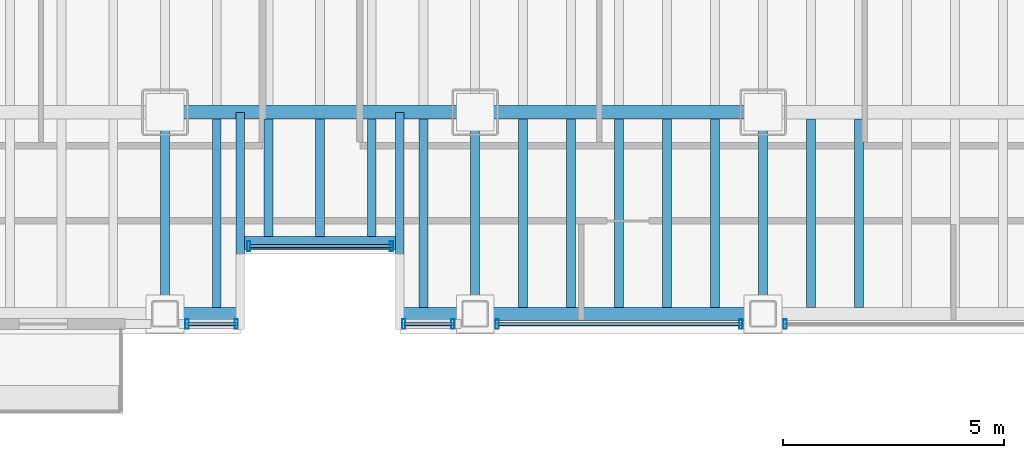
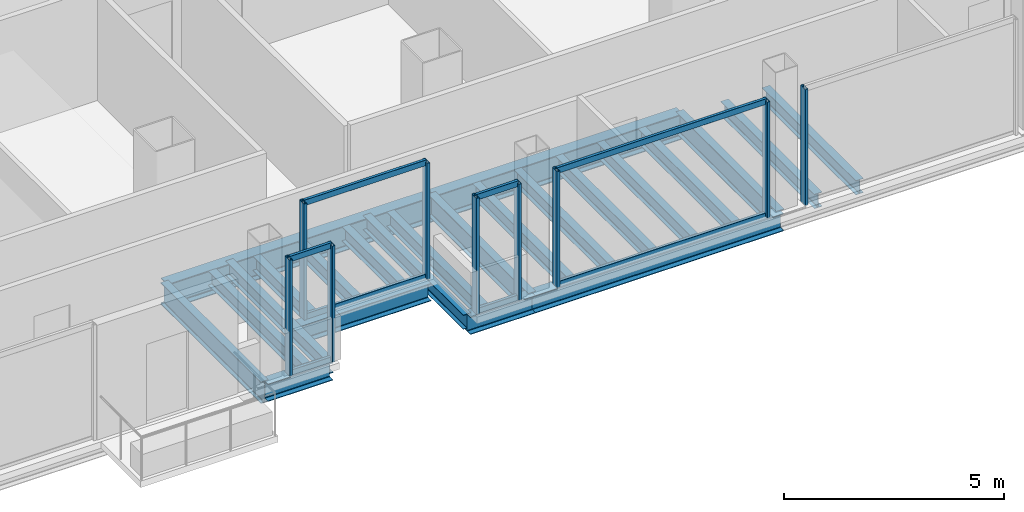
# One storey, part 4 of 20: 23 beams, 17 members, 5 elements without a shape of their own.
"""IFC4 building model written with IfcOpenShell, lengths in metres."""

from ifc_helpers import new_model, si_unit, direction, frame, origin, origin_2d, place, context, subcontext, project, spatial, hollow_rectangle, i_section, extrude, material, material_profile, profile_set, type_object, element, aggregate, save


model = new_model("IFC4")

# Units and contexts
model_context = context("Model", 3, precision=1e-05, world=origin(), true_north=direction((0.0, 1.0)))
body_context = subcontext(model_context, "Body", "Model", "MODEL_VIEW")
ifc_project = project(units=[si_unit("LENGTHUNIT", "METRE"), si_unit("AREAUNIT", "SQUARE_METRE"), si_unit("VOLUMEUNIT", "CUBIC_METRE"), si_unit("PLANEANGLEUNIT", "RADIAN"), si_unit("MASSUNIT", "GRAM", prefix="KILO")], contexts=[model_context])

# Site, building, storey
site_placement = place(None, origin())
site = spatial("IfcSite", under=ifc_project, at=site_placement, CompositionType="ELEMENT")
building_placement = place(site_placement, origin())
building = spatial("IfcBuilding", under=site, at=building_placement, Name="Noeulbin Bourse Tower", CompositionType="ELEMENT")
storey_placement = place(building_placement, frame((0.0, 0.0, 57.699951171875)))
storey = spatial("IfcBuildingStorey", under=building, at=storey_placement, Name="L14", CompositionType="ELEMENT", Elevation=57.699951171875)

# Beams
ifc_material_1 = material(Name="Steel S355", Category="steel")
ifc_material_profile_1 = material_profile(ifc_material_1, i_section(OverallWidth=0.199951171875, OverallDepth=0.60009765625, WebThickness=0.010986328125, FlangeThickness=0.01708984375, FilletRadius=0.02197265625, at=origin_2d()), Name="H-600x200x11x17", Category="LoadBearing")
ifc_profile_set_1 = profile_set([ifc_material_profile_1], Name="Steel S355")
beam_type_1 = type_object("IfcBeamType", Name="BM-GRD-600", PredefinedType="USERDEFINED", material=ifc_profile_set_1)
for number, where, z_axis, x_axis, name in (
    (1, (24.0, 15.449951171875, -0.47998046875), (0.0, 1.0, 0.0), (-1.0, 0.0, 0.0), "Tower Primary Girder NS L14-2.1"),
    (2, (31.0, 15.449951171875, -0.47998046875), (0.0, 1.0, 0.0), (-1.0, 0.0, 0.0), "Tower Primary Girder NS L14-3.1"),
    (3, (37.5, 15.449951171875, -0.47998046875), (0.0, 1.0, 0.0), (-1.0, 0.0, 0.0), "Tower Primary Girder NS L14-4.1"),
):
    element("IfcBeam", number, at=place(storey_placement, frame(where, z_axis=z_axis, x_axis=x_axis)), inside=storey, type_object=beam_type_1, Name=name, ObjectType="GIRDER", PredefinedType="USERDEFINED", context=body_context, shape_type="SweptSolid", body=[
        extrude(i_section(OverallWidth=0.199951171875, OverallDepth=0.60009765625, WebThickness=0.010986328125, FlangeThickness=0.01708984375, FilletRadius=0.02197265625, at=origin_2d()), origin(), (0.0, 0.0, 1.0), 4.550048828125),
    ])
ifc_material_profile_2 = material_profile(ifc_material_1, i_section(OverallWidth=0.300048828125, OverallDepth=0.699951171875, WebThickness=0.012939453125, FlangeThickness=0.02392578125, FilletRadius=0.02392578125, at=origin_2d()), Name="H-700x300x13x24", Category="LoadBearing")
ifc_profile_set_2 = profile_set([ifc_material_profile_2], Name="Steel S355")
beam_type_2 = type_object("IfcBeamType", Name="BM-GRD-700", PredefinedType="USERDEFINED", material=ifc_profile_set_2)
beam_1_placement = place(storey_placement, frame((24.0, 20.0, -0.530029296875), z_axis=(1.0, 0.0, 0.0), x_axis=(0.0, 1.0, 0.0)))
element("IfcBeam", 4, at=beam_1_placement, inside=storey, type_object=beam_type_2, Name="Tower Primary Girder EW L14-1.3", ObjectType="GIRDER", PredefinedType="USERDEFINED", context=body_context, shape_type="SweptSolid", body=[
    extrude(i_section(OverallWidth=0.300048828125, OverallDepth=0.699951171875, WebThickness=0.012939453125, FlangeThickness=0.02392578125, FilletRadius=0.02392578125, at=origin_2d()), origin(), (0.0, 0.0, 1.0), 7.0),
])
beam_2_placement = place(storey_placement, frame((31.0, 20.0, -0.530029296875), z_axis=(1.0, 0.0, 0.0), x_axis=(0.0, 1.0, 0.0)))
element("IfcBeam", 5, at=beam_2_placement, inside=storey, type_object=beam_type_2, Name="Tower Primary Girder EW L14-1.4", ObjectType="GIRDER", PredefinedType="USERDEFINED", context=body_context, shape_type="SweptSolid", body=[
    extrude(i_section(OverallWidth=0.300048828125, OverallDepth=0.699951171875, WebThickness=0.012939453125, FlangeThickness=0.02392578125, FilletRadius=0.02392578125, at=origin_2d()), origin(), (0.0, 0.0, 1.0), 6.5),
])
ifc_material_profile_3 = material_profile(ifc_material_1, i_section(OverallWidth=0.199951171875, OverallDepth=0.39990234375, WebThickness=0.008056640625, FlangeThickness=0.012939453125, FilletRadius=0.01611328125, at=origin_2d()), Name="H-400x200x8x13", Category="LoadBearing")
ifc_profile_set_3 = profile_set([ifc_material_profile_3], Name="Steel S355")
beam_type_3 = type_object("IfcBeamType", Name="BM-SEC-400", PredefinedType="BEAM", material=ifc_profile_set_3)
for number, where, z_axis, x_axis, name in (
    (6, (25.699951171875, 15.449951171875, -0.3798828125), (0.0, 1.0, 0.0), (-1.0, 0.0, 0.0), "BM-L14-SRT-W"),
    (7, (29.300048828125, 15.449951171875, -0.3798828125), (0.0, 1.0, 0.0), (-1.0, 0.0, 0.0), "BM-L14-SRT-E"),
):
    element("IfcBeam", number, at=place(storey_placement, frame(where, z_axis=z_axis, x_axis=x_axis)), inside=storey, type_object=beam_type_3, Name=name, PredefinedType="BEAM", context=body_context, shape_type="SweptSolid", body=[
        extrude(i_section(OverallWidth=0.199951171875, OverallDepth=0.39990234375, WebThickness=0.008056640625, FlangeThickness=0.012939453125, FilletRadius=0.01611328125, at=origin_2d()), origin(), (0.0, 0.0, 1.0), 4.550048828125),
    ])
beam_3_placement = place(storey_placement, frame((25.166748046875, 15.60009765625, -0.3798828125), z_axis=(0.0, 1.0, 0.0), x_axis=(-1.0, 0.0, 0.0)))
element("IfcBeam", 8, at=beam_3_placement, inside=storey, type_object=beam_type_3, Name="Tower Composite Joist L14-25", PredefinedType="BEAM", context=body_context, shape_type="SweptSolid", body=[
    extrude(i_section(OverallWidth=0.199951171875, OverallDepth=0.39990234375, WebThickness=0.008056640625, FlangeThickness=0.012939453125, FilletRadius=0.01611328125, at=origin_2d()), origin(), (0.0, 0.0, 1.0), 4.25),
])
for number, where, z_axis, x_axis, name in (
    (9, (26.333251953125, 17.199951171875, -0.3798828125), (0.0, 1.0, 0.0), (-1.0, 0.0, 0.0), "Tower Composite Joist L14-28"),
    (10, (27.5, 17.199951171875, -0.3798828125), (0.0, 1.0, 0.0), (-1.0, 0.0, 0.0), "Tower Composite Joist L14-31"),
    (11, (28.666748046875, 17.199951171875, -0.3798828125), (0.0, 1.0, 0.0), (-1.0, 0.0, 0.0), "Tower Composite Joist L14-34"),
):
    element("IfcBeam", number, at=place(storey_placement, frame(where, z_axis=z_axis, x_axis=x_axis)), inside=storey, type_object=beam_type_3, Name=name, PredefinedType="BEAM", context=body_context, shape_type="SweptSolid", body=[
        extrude(i_section(OverallWidth=0.199951171875, OverallDepth=0.39990234375, WebThickness=0.008056640625, FlangeThickness=0.012939453125, FilletRadius=0.01611328125, at=origin_2d()), origin(), (0.0, 0.0, 1.0), 2.650146484375),
    ])
for number, where, z_axis, x_axis, name in (
    (12, (29.833251953125, 15.60009765625, -0.3798828125), (0.0, 1.0, 0.0), (-1.0, 0.0, 0.0), "Tower Composite Joist L14-37"),
    (13, (32.083251953125, 15.60009765625, -0.3798828125), (0.0, 1.0, 0.0), (-1.0, 0.0, 0.0), "Tower Composite Joist L14-40"),
    (14, (33.166748046875, 15.60009765625, -0.3798828125), (0.0, 1.0, 0.0), (-1.0, 0.0, 0.0), "Tower Composite Joist L14-43"),
    (15, (34.25, 15.60009765625, -0.3798828125), (0.0, 1.0, 0.0), (-1.0, 0.0, 0.0), "Tower Composite Joist L14-46"),
    (16, (35.333251953125, 15.60009765625, -0.3798828125), (0.0, 1.0, 0.0), (-1.0, 0.0, 0.0), "Tower Composite Joist L14-49"),
    (17, (36.416748046875, 15.60009765625, -0.3798828125), (0.0, 1.0, 0.0), (-1.0, 0.0, 0.0), "Tower Composite Joist L14-52"),
    (18, (38.583251953125, 15.60009765625, -0.3798828125), (0.0, 1.0, 0.0), (-1.0, 0.0, 0.0), "Tower Composite Joist L14-55"),
    (19, (39.666748046875, 15.60009765625, -0.3798828125), (0.0, 1.0, 0.0), (-1.0, 0.0, 0.0), "Tower Composite Joist L14-58"),
):
    element("IfcBeam", number, at=place(storey_placement, frame(where, z_axis=z_axis, x_axis=x_axis)), inside=storey, type_object=beam_type_3, Name=name, PredefinedType="BEAM", context=body_context, shape_type="SweptSolid", body=[
        extrude(i_section(OverallWidth=0.199951171875, OverallDepth=0.39990234375, WebThickness=0.008056640625, FlangeThickness=0.012939453125, FilletRadius=0.01611328125, at=origin_2d()), origin(), (0.0, 0.0, 1.0), 4.25),
    ])
ifc_material_profile_4 = material_profile(ifc_material_1, i_section(OverallWidth=0.300048828125, OverallDepth=0.488037109375, WebThickness=0.010986328125, FlangeThickness=0.01806640625, FilletRadius=0.02197265625, at=origin_2d()), Name="H-488x300x11x18", Category="LoadBearing")
ifc_profile_set_4 = profile_set([ifc_material_profile_4], Name="Steel S355")
beam_type_4 = type_object("IfcBeamType", Name="BM-SPN-488", PredefinedType="SPANDREL", material=ifc_profile_set_4)
beam_4_placement = place(storey_placement, frame((25.800048828125, 17.050048828125, -0.424072265625), z_axis=(1.0, 0.0, 0.0), x_axis=(0.0, 1.0, 0.0)))
element("IfcBeam", 20, at=beam_4_placement, inside=storey, type_object=beam_type_4, Name="South Recess Spandrel L14-2B", PredefinedType="SPANDREL", context=body_context, shape_type="SweptSolid", body=[
    extrude(i_section(OverallWidth=0.300048828125, OverallDepth=0.488037109375, WebThickness=0.010986328125, FlangeThickness=0.01806640625, FilletRadius=0.02197265625, at=origin_2d()), origin(), (0.0, 0.0, 1.0), 3.39990234375),
])
for number, where, z_axis, x_axis, name in (
    (21, (24.0, 15.449951171875, -0.424072265625), (1.0, 0.0, 0.0), (0.0, 1.0, 0.0), "South Spandrel L14-2A"),
    (22, (29.300048828125, 15.449951171875, -0.424072265625), (1.0, 0.0, 0.0), (0.0, 1.0, 0.0), "South Spandrel L14-2C"),
):
    element("IfcBeam", number, at=place(storey_placement, frame(where, z_axis=z_axis, x_axis=x_axis)), inside=storey, type_object=beam_type_4, Name=name, PredefinedType="SPANDREL", context=body_context, shape_type="SweptSolid", body=[
        extrude(i_section(OverallWidth=0.300048828125, OverallDepth=0.488037109375, WebThickness=0.010986328125, FlangeThickness=0.01806640625, FilletRadius=0.02197265625, at=origin_2d()), origin(), (0.0, 0.0, 1.0), 1.699951171875),
    ])
beam_5_placement = place(storey_placement, frame((31.0, 15.449951171875, -0.424072265625), z_axis=(1.0, 0.0, 0.0), x_axis=(0.0, 1.0, 0.0)))
element("IfcBeam", 23, at=beam_5_placement, inside=storey, type_object=beam_type_4, Name="South Spandrel L14-3", PredefinedType="SPANDREL", context=body_context, shape_type="SweptSolid", body=[
    extrude(i_section(OverallWidth=0.300048828125, OverallDepth=0.488037109375, WebThickness=0.010986328125, FlangeThickness=0.01806640625, FilletRadius=0.02197265625, at=origin_2d()), origin(), (0.0, 0.0, 1.0), 6.5),
])

# Curtain wall, members
ifc_material_2 = material(Name="Dark Solar-Control Double Glazing", Category="glass")
curtain_wall_type = type_object("IfcCurtainWallType", Name="CW-SYS-2", PredefinedType="NOTDEFINED", material=ifc_material_2)
curtain_wall_1_placement = place(storey_placement, origin())
curtain_wall_1 = element("IfcCurtainWall", 24, at=curtain_wall_1_placement, inside=storey, type_object=curtain_wall_type, Name="Unitised Curtain Wall CW-L14-SREC", PredefinedType="NOTDEFINED")
ifc_material_3 = material(Name="Anodised Aluminium 6063-T6", Category="aluminium")
ifc_material_profile_5 = material_profile(ifc_material_3, hollow_rectangle(XDim=0.074951171875, YDim=0.219970703125, WallThickness=0.0048828125, InnerFilletRadius=0.00244140625, OuterFilletRadius=0.0048828125, at=origin_2d()), Name="ALU-MULL-75x220x5", Category="LoadBearing")
ifc_profile_set_5 = profile_set([ifc_material_profile_5], Name="Anodised Aluminium 6063-T6")
member_type_1 = type_object("IfcMemberType", Name="CW-SYS-2-MUL", PredefinedType="MULLION", material=ifc_profile_set_5)
member_1_placement = place(storey_placement, frame((25.889892578125, 16.97998046875, -0.02001953125), z_axis=(0.0, 0.0, 1.0), x_axis=(1.0, 0.0, 0.0)))
member_1 = element("IfcMember", 25, at=member_1_placement, type_object=member_type_1, Name="Curtain Wall Mullion CW-L14-SREC-M00", PredefinedType="MULLION", context=body_context, shape_type="SweptSolid", body=[
    extrude(hollow_rectangle(XDim=0.074951171875, YDim=0.219970703125, WallThickness=0.0048828125, InnerFilletRadius=0.00244140625, OuterFilletRadius=0.0048828125, at=origin_2d()), origin(), (0.0, 0.0, 1.0), 3.219970703125),
])
member_2_placement = place(storey_placement, frame((29.110107421875, 16.97998046875, -0.02001953125), z_axis=(0.0, 0.0, 1.0), x_axis=(1.0, 0.0, 0.0)))
member_2 = element("IfcMember", 26, at=member_2_placement, type_object=member_type_1, Name="Curtain Wall Mullion CW-L14-SREC-M01", PredefinedType="MULLION", context=body_context, shape_type="SweptSolid", body=[
    extrude(hollow_rectangle(XDim=0.074951171875, YDim=0.219970703125, WallThickness=0.0048828125, InnerFilletRadius=0.00244140625, OuterFilletRadius=0.0048828125, at=origin_2d()), origin(), (0.0, 0.0, 1.0), 3.219970703125),
])

curtain_wall_2_placement = place(storey_placement, origin())
curtain_wall_2 = element("IfcCurtainWall", 27, at=curtain_wall_2_placement, inside=storey, type_object=curtain_wall_type, Name="Unitised Curtain Wall CW-L14-S2", PredefinedType="NOTDEFINED")
member_3_placement = place(storey_placement, frame((24.5, 15.219970703125, -0.02001953125), z_axis=(0.0, 0.0, 1.0), x_axis=(1.0, 0.0, 0.0)))
member_3 = element("IfcMember", 28, at=member_3_placement, type_object=member_type_1, Name="Curtain Wall Mullion CW-L14-S2-M00", PredefinedType="MULLION", context=body_context, shape_type="SweptSolid", body=[
    extrude(hollow_rectangle(XDim=0.074951171875, YDim=0.219970703125, WallThickness=0.0048828125, InnerFilletRadius=0.00244140625, OuterFilletRadius=0.0048828125, at=origin_2d()), origin(), (0.0, 0.0, 1.0), 3.219970703125),
])
member_4_placement = place(storey_placement, frame((25.610107421875, 15.219970703125, -0.02001953125), z_axis=(0.0, 0.0, 1.0), x_axis=(1.0, 0.0, 0.0)))
member_4 = element("IfcMember", 29, at=member_4_placement, type_object=member_type_1, Name="Curtain Wall Mullion CW-L14-S2-M01", PredefinedType="MULLION", context=body_context, shape_type="SweptSolid", body=[
    extrude(hollow_rectangle(XDim=0.074951171875, YDim=0.219970703125, WallThickness=0.0048828125, InnerFilletRadius=0.00244140625, OuterFilletRadius=0.0048828125, at=origin_2d()), origin(), (0.0, 0.0, 1.0), 3.219970703125),
])

curtain_wall_3_placement = place(storey_placement, origin())
curtain_wall_3 = element("IfcCurtainWall", 30, at=curtain_wall_3_placement, inside=storey, type_object=curtain_wall_type, Name="Unitised Curtain Wall CW-L14-S3-S1", PredefinedType="NOTDEFINED")
member_5_placement = place(storey_placement, frame((29.389892578125, 15.219970703125, -0.02001953125), z_axis=(0.0, 0.0, 1.0), x_axis=(1.0, 0.0, 0.0)))
member_5 = element("IfcMember", 31, at=member_5_placement, type_object=member_type_1, Name="Curtain Wall Mullion CW-L14-S3-S1-M00", PredefinedType="MULLION", context=body_context, shape_type="SweptSolid", body=[
    extrude(hollow_rectangle(XDim=0.074951171875, YDim=0.219970703125, WallThickness=0.0048828125, InnerFilletRadius=0.00244140625, OuterFilletRadius=0.0048828125, at=origin_2d()), origin(), (0.0, 0.0, 1.0), 3.219970703125),
])
member_6_placement = place(storey_placement, frame((30.5, 15.219970703125, -0.02001953125), z_axis=(0.0, 0.0, 1.0), x_axis=(1.0, 0.0, 0.0)))
member_6 = element("IfcMember", 32, at=member_6_placement, type_object=member_type_1, Name="Curtain Wall Mullion CW-L14-S3-S1-M01", PredefinedType="MULLION", context=body_context, shape_type="SweptSolid", body=[
    extrude(hollow_rectangle(XDim=0.074951171875, YDim=0.219970703125, WallThickness=0.0048828125, InnerFilletRadius=0.00244140625, OuterFilletRadius=0.0048828125, at=origin_2d()), origin(), (0.0, 0.0, 1.0), 3.219970703125),
])

curtain_wall_4_placement = place(storey_placement, origin())
curtain_wall_4 = element("IfcCurtainWall", 33, at=curtain_wall_4_placement, inside=storey, type_object=curtain_wall_type, Name="Unitised Curtain Wall CW-L14-S3-S2", PredefinedType="NOTDEFINED")
member_7_placement = place(storey_placement, frame((31.5, 15.219970703125, -0.02001953125), z_axis=(0.0, 0.0, 1.0), x_axis=(1.0, 0.0, 0.0)))
member_7 = element("IfcMember", 34, at=member_7_placement, type_object=member_type_1, Name="Curtain Wall Mullion CW-L14-S3-S2-M00", PredefinedType="MULLION", context=body_context, shape_type="SweptSolid", body=[
    extrude(hollow_rectangle(XDim=0.074951171875, YDim=0.219970703125, WallThickness=0.0048828125, InnerFilletRadius=0.00244140625, OuterFilletRadius=0.0048828125, at=origin_2d()), origin(), (0.0, 0.0, 1.0), 3.219970703125),
])
member_8_placement = place(storey_placement, frame((37.0, 15.219970703125, -0.02001953125), z_axis=(0.0, 0.0, 1.0), x_axis=(1.0, 0.0, 0.0)))
member_8 = element("IfcMember", 35, at=member_8_placement, type_object=member_type_1, Name="Curtain Wall Mullion CW-L14-S3-S2-M01", PredefinedType="MULLION", context=body_context, shape_type="SweptSolid", body=[
    extrude(hollow_rectangle(XDim=0.074951171875, YDim=0.219970703125, WallThickness=0.0048828125, InnerFilletRadius=0.00244140625, OuterFilletRadius=0.0048828125, at=origin_2d()), origin(), (0.0, 0.0, 1.0), 3.219970703125),
])

# Curtain wall, member
curtain_wall_5_placement = place(storey_placement, origin())
curtain_wall_5 = element("IfcCurtainWall", 36, at=curtain_wall_5_placement, inside=storey, type_object=curtain_wall_type, Name="Unitised Curtain Wall CW-L14-S3-S3", PredefinedType="NOTDEFINED")
member_9_placement = place(storey_placement, frame((38.0, 15.219970703125, -0.02001953125), z_axis=(0.0, 0.0, 1.0), x_axis=(1.0, 0.0, 0.0)))
member_9 = element("IfcMember", 37, at=member_9_placement, type_object=member_type_1, Name="Curtain Wall Mullion CW-L14-S3-S3-M00", PredefinedType="MULLION", context=body_context, shape_type="SweptSolid", body=[
    extrude(hollow_rectangle(XDim=0.074951171875, YDim=0.219970703125, WallThickness=0.0048828125, InnerFilletRadius=0.00244140625, OuterFilletRadius=0.0048828125, at=origin_2d()), origin(), (0.0, 0.0, 1.0), 3.219970703125),
])
aggregate(curtain_wall_5, [member_9])

# Member
ifc_material_profile_6 = material_profile(ifc_material_3, hollow_rectangle(XDim=0.074951171875, YDim=0.159912109375, WallThickness=0.0048828125, InnerFilletRadius=0.00244140625, OuterFilletRadius=0.0048828125, at=origin_2d()), Name="ALU-TRAN-75x160x5", Category="LoadBearing")
ifc_profile_set_6 = profile_set([ifc_material_profile_6], Name="Anodised Aluminium 6063-T6")
member_type_2 = type_object("IfcMemberType", Name="CW-SYS-2-TRN", PredefinedType="USERDEFINED", material=ifc_profile_set_6)
member_10_placement = place(storey_placement, frame((25.89990234375, 16.97998046875, 0.010009765625), z_axis=(1.0, 0.0, 0.0), x_axis=(0.0, 1.0, 0.0)))
member_10 = element("IfcMember", 38, at=member_10_placement, type_object=member_type_2, Name="Curtain Wall Transom CW-L14-SREC-T00", ObjectType="TRANSOM", PredefinedType="USERDEFINED", context=body_context, shape_type="SweptSolid", body=[
    extrude(hollow_rectangle(XDim=0.074951171875, YDim=0.159912109375, WallThickness=0.0048828125, InnerFilletRadius=0.00244140625, OuterFilletRadius=0.0048828125, at=origin_2d()), origin(), (0.0, 0.0, 1.0), 3.2001953125),
])

member_11_placement = place(storey_placement, frame((25.89990234375, 16.97998046875, 3.170166015625), z_axis=(1.0, 0.0, 0.0), x_axis=(0.0, 1.0, 0.0)))
member_11 = element("IfcMember", 39, at=member_11_placement, type_object=member_type_2, Name="Curtain Wall Transom CW-L14-SREC-T01", ObjectType="TRANSOM", PredefinedType="USERDEFINED", context=body_context, shape_type="SweptSolid", body=[
    extrude(hollow_rectangle(XDim=0.074951171875, YDim=0.159912109375, WallThickness=0.0048828125, InnerFilletRadius=0.00244140625, OuterFilletRadius=0.0048828125, at=origin_2d()), origin(), (0.0, 0.0, 1.0), 3.2001953125),
])

aggregate(curtain_wall_1, [member_1, member_2, member_10, member_11])

member_12_placement = place(storey_placement, frame((24.510009765625, 15.219970703125, 0.010009765625), z_axis=(1.0, 0.0, 0.0), x_axis=(0.0, 1.0, 0.0)))
member_12 = element("IfcMember", 40, at=member_12_placement, type_object=member_type_2, Name="Curtain Wall Transom CW-L14-S2-T00", ObjectType="TRANSOM", PredefinedType="USERDEFINED", context=body_context, shape_type="SweptSolid", body=[
    extrude(hollow_rectangle(XDim=0.074951171875, YDim=0.159912109375, WallThickness=0.0048828125, InnerFilletRadius=0.00244140625, OuterFilletRadius=0.0048828125, at=origin_2d()), origin(), (0.0, 0.0, 1.0), 1.090087890625),
])

member_13_placement = place(storey_placement, frame((24.510009765625, 15.219970703125, 3.170166015625), z_axis=(1.0, 0.0, 0.0), x_axis=(0.0, 1.0, 0.0)))
member_13 = element("IfcMember", 41, at=member_13_placement, type_object=member_type_2, Name="Curtain Wall Transom CW-L14-S2-T01", ObjectType="TRANSOM", PredefinedType="USERDEFINED", context=body_context, shape_type="SweptSolid", body=[
    extrude(hollow_rectangle(XDim=0.074951171875, YDim=0.159912109375, WallThickness=0.0048828125, InnerFilletRadius=0.00244140625, OuterFilletRadius=0.0048828125, at=origin_2d()), origin(), (0.0, 0.0, 1.0), 1.090087890625),
])

aggregate(curtain_wall_2, [member_3, member_4, member_12, member_13])

member_14_placement = place(storey_placement, frame((29.39990234375, 15.219970703125, 0.010009765625), z_axis=(1.0, 0.0, 0.0), x_axis=(0.0, 1.0, 0.0)))
member_14 = element("IfcMember", 42, at=member_14_placement, type_object=member_type_2, Name="Curtain Wall Transom CW-L14-S3-S1-T00", ObjectType="TRANSOM", PredefinedType="USERDEFINED", context=body_context, shape_type="SweptSolid", body=[
    extrude(hollow_rectangle(XDim=0.074951171875, YDim=0.159912109375, WallThickness=0.0048828125, InnerFilletRadius=0.00244140625, OuterFilletRadius=0.0048828125, at=origin_2d()), origin(), (0.0, 0.0, 1.0), 1.090087890625),
])

member_15_placement = place(storey_placement, frame((29.39990234375, 15.219970703125, 3.170166015625), z_axis=(1.0, 0.0, 0.0), x_axis=(0.0, 1.0, 0.0)))
member_15 = element("IfcMember", 43, at=member_15_placement, type_object=member_type_2, Name="Curtain Wall Transom CW-L14-S3-S1-T01", ObjectType="TRANSOM", PredefinedType="USERDEFINED", context=body_context, shape_type="SweptSolid", body=[
    extrude(hollow_rectangle(XDim=0.074951171875, YDim=0.159912109375, WallThickness=0.0048828125, InnerFilletRadius=0.00244140625, OuterFilletRadius=0.0048828125, at=origin_2d()), origin(), (0.0, 0.0, 1.0), 1.090087890625),
])

aggregate(curtain_wall_3, [member_5, member_6, member_14, member_15])

member_16_placement = place(storey_placement, frame((31.510009765625, 15.219970703125, 0.010009765625), z_axis=(1.0, 0.0, 0.0), x_axis=(0.0, 1.0, 0.0)))
member_16 = element("IfcMember", 44, at=member_16_placement, type_object=member_type_2, Name="Curtain Wall Transom CW-L14-S3-S2-T00", ObjectType="TRANSOM", PredefinedType="USERDEFINED", context=body_context, shape_type="SweptSolid", body=[
    extrude(hollow_rectangle(XDim=0.074951171875, YDim=0.159912109375, WallThickness=0.0048828125, InnerFilletRadius=0.00244140625, OuterFilletRadius=0.0048828125, at=origin_2d()), origin(), (0.0, 0.0, 1.0), 5.47998046875),
])

member_17_placement = place(storey_placement, frame((31.510009765625, 15.219970703125, 3.170166015625), z_axis=(1.0, 0.0, 0.0), x_axis=(0.0, 1.0, 0.0)))
member_17 = element("IfcMember", 45, at=member_17_placement, type_object=member_type_2, Name="Curtain Wall Transom CW-L14-S3-S2-T01", ObjectType="TRANSOM", PredefinedType="USERDEFINED", context=body_context, shape_type="SweptSolid", body=[
    extrude(hollow_rectangle(XDim=0.074951171875, YDim=0.159912109375, WallThickness=0.0048828125, InnerFilletRadius=0.00244140625, OuterFilletRadius=0.0048828125, at=origin_2d()), origin(), (0.0, 0.0, 1.0), 5.47998046875),
])

aggregate(curtain_wall_4, [member_7, member_8, member_16, member_17])

save(model, "model.ifc")
